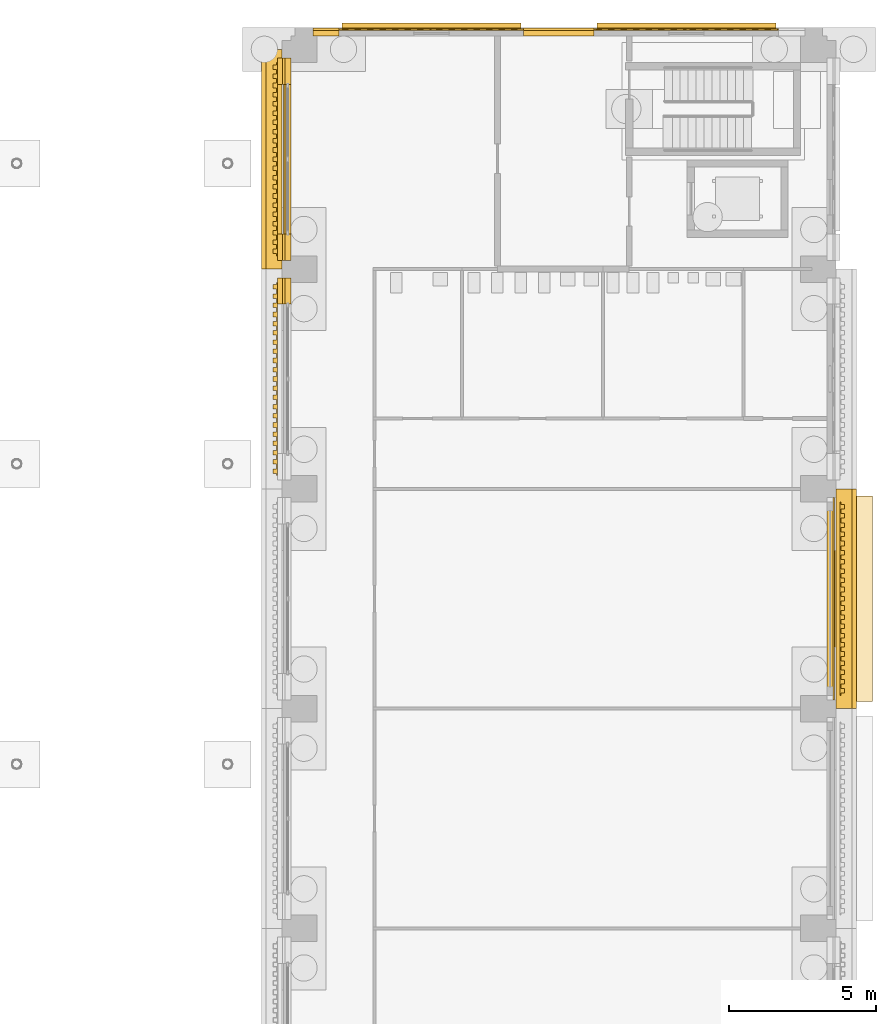
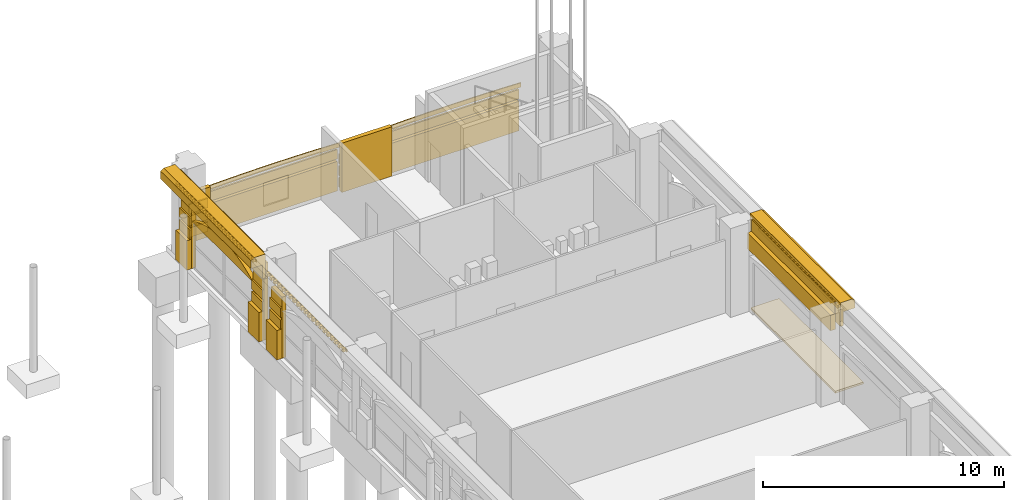
# One storey, part 89 of 99: 35 coverings.
"""IFC4 building model written with IfcOpenShell, lengths in metres."""

from ifc_helpers import new_model, si_unit, direction, frame, origin, place, context, subcontext, project, spatial, polyline, outline, extrude, material, layer, layer_set, type_object, element, save


model = new_model("IFC4")

# Units and contexts
model_context = context("Model", 3, precision=1e-05, world=origin(), true_north=direction((0.0, 1.0)))
body_context = subcontext(model_context, "Body", "Model", "MODEL_VIEW")
ifc_project = project(units=[si_unit("LENGTHUNIT", "METRE"), si_unit("AREAUNIT", "SQUARE_METRE"), si_unit("VOLUMEUNIT", "CUBIC_METRE"), si_unit("PLANEANGLEUNIT", "RADIAN"), si_unit("MASSUNIT", "GRAM", prefix="KILO")], contexts=[model_context])

# Site, building, storey
site_placement = place(None, origin())
site = spatial("IfcSite", under=ifc_project, at=site_placement, CompositionType="ELEMENT")
building_placement = place(site_placement, origin())
building = spatial("IfcBuilding", under=site, at=building_placement, Name="Cour d'Honneur Mobility Palace", CompositionType="ELEMENT")
storey_placement = place(building_placement, origin())
storey = spatial("IfcBuildingStorey", under=building, at=storey_placement, Name="L00", CompositionType="ELEMENT", Elevation=0.0)

# Coverings
ifc_material_1 = material(Name="Cast limestone", Category="masonry")
ifc_layer_1 = layer(ifc_material_1, 0.050048828125)
ifc_layer_set_1 = layer_set([ifc_layer_1], Name="Cast limestone")
covering_type_1 = type_object("IfcCoveringType", Name="Arch hood", PredefinedType="CLADDING", material=ifc_layer_set_1)
covering_1_placement = place(storey_placement, frame((161.10009765625, 115.60009765625, 2.179931640625), z_axis=(0.0, 1.0, 0.0), x_axis=(-0.999557518193, 0.0, 0.029745047039)))
element("IfcCovering", 1, at=covering_1_placement, inside=storey, type_object=covering_type_1, Name="Arch hood AH-42", PredefinedType="CLADDING", context=body_context, shape_type="SweptSolid", body=[
    extrude(outline(polyline([(0.0, 0.0), (0.3939731540780232, 0.0), (0.7879027363097985, -0.00146419558329091), (1.1817814847209511, -0.004636619347087881), (1.5756166612858558, -0.009273238694175762), (1.9691569714329225, -0.015610824247395037), (2.362897742330957, -0.023419867358279896), (2.7565949413827426, -0.032693106052455644), (3.1502413066139066, -0.04367457292713747), (3.5438440999988217, -0.056120235385110205), (3.9371520269658995, -0.07026686404921434), (4.330660414683945, -0.08588495027098403), (4.7241252305557415, -0.10296723207604466), (5.117539212606915, -0.1217577420616113), (5.510909622811842, -0.14201244763046889), (5.903985166598931, -0.16396811940545788), (6.297261171136987, -0.18739524873811242), (6.303804210048556, 0.03247812135273917), (5.9105282055105, 0.055905250685393676), (5.517452661723411, 0.07786092246038268), (5.124082251518485, 0.09811562802924029), (4.730668269467311, 0.1169061380148069), (4.337203453595514, 0.13398841981986756), (3.9436950658774683, 0.14960650604163725), (3.550387138910391, 0.16375313470574135), (3.1567843455254754, 0.1761987971637141), (2.763137980294312, 0.1871802640383959), (2.3694407812425258, 0.19645350273257167), (1.9757000103444915, 0.20426254584345654), (1.5821597001974248, 0.2106001313966758), (1.1883245236325202, 0.2152367507437637), (0.7944457752213675, 0.21840917450756064), (0.4005161929895923, 0.21987337009085156), (0.006543038911569049, 0.2198733700908516), (0.0, 0.0)])), origin(), (0.0, 0.0, -1.0), 0.050048828125),
])
covering_2_placement = place(storey_placement, frame((152.39990234375, 115.60009765625, 2.179931640625), z_axis=(0.0, 1.0, 0.0), x_axis=(-0.999556969403, 0.0, 0.02976348296)))
element("IfcCovering", 2, at=covering_2_placement, inside=storey, type_object=covering_type_1, Name="Arch hood AH-43", PredefinedType="CLADDING", context=body_context, shape_type="SweptSolid", body=[
    extrude(outline(polyline([(0.0, 0.0), (0.3937291215477782, 0.0), (0.7876586767067977, -0.0014714612547309172), (1.181537366538493, -0.004651149752093908), (1.5753724575181964, -0.009295033028855815), (1.9691566831705756, -0.015647143548249788), (2.3626532775077296, -0.023456182371710668), (2.756350305456125, -0.032736682449902466), (3.1499964680771964, -0.04372540977072635), (3.543599031846276, -0.05617833187094913), (3.9371507302880304, -0.070339481213804), (4.330414797414561, -0.08595755886072576), (4.723879298152331, -0.10304709776237844), (5.117292933562778, -0.1218448639066632), (5.510662970121234, -0.14210682483034687), (5.9039821413523645, -0.16407701299666264), (6.297013681268271, -0.18750412946704528), (6.303560775542407, 0.03236911990602526), (5.910529235626501, 0.055796236376407904), (5.51721006439537, 0.07776642454272367), (5.1238400278369145, 0.09802838546640735), (4.730426392426468, 0.1168261516106921), (4.336961891688697, 0.13391569051234475), (3.9436978245621668, 0.14953376815926656), (3.5501461261204117, 0.1636949175021214), (3.1565435623513323, 0.17614783960234415), (2.762897399730261, 0.18713656692316807), (2.369200371781866, 0.19641706700135989), (1.9757037774447117, 0.20422610582482073), (1.5819195517923326, 0.21057821634421472), (1.188084460812629, 0.21522209962097666), (0.7942057709809338, 0.21840178811833963), (0.40027621582191436, 0.21987324937307054), (0.006547094274136095, 0.21987324937307054), (0.0, 0.0)])), origin(), (0.0, 0.0, -1.0), 0.050048828125),
])
ifc_material_2 = material(Name="Cast limestone", Category="masonry")
ifc_layer_2 = layer(ifc_material_2, 0.199951171875)
ifc_layer_set_2 = layer_set([ifc_layer_2], Name="Cast limestone")
covering_type_2 = type_object("IfcCoveringType", Name="Arch tympanum panel", PredefinedType="CLADDING", material=ifc_layer_set_2)
covering_3_placement = place(storey_placement, frame((144.25, 113.699951171875, 2.39990234375), z_axis=(-1.0, 0.0, 0.0), x_axis=(0.0, -1.0, 0.0)))
element("IfcCovering", 3, at=covering_3_placement, inside=storey, type_object=covering_type_2, Name="Arch tympanum panel TP-1", PredefinedType="CLADDING", context=body_context, shape_type="SweptSolid", body=[
    extrude(outline(polyline([(0.0, 0.0), (5.099853515625, 0.0), (5.099853515625, 0.0), (4.78125, 0.160400390625), (4.46240234375, 0.294921875), (4.143798828125, 0.406005859375), (3.824951171875, 0.495361328125), (3.506103515625, 0.5634765625), (3.1875, 0.61181640625), (2.86865234375, 0.640625), (2.550048828125, 0.650146484375), (2.231201171875, 0.640625), (1.912353515625, 0.61181640625), (1.59375, 0.5634765625), (1.27490234375, 0.495361328125), (0.956298828125, 0.406005859375), (0.637451171875, 0.294921875), (0.318603515625, 0.160400390625), (0.0, 0.0), (0.0, 0.0)])), origin(), (0.0, 0.0, -1.0), 0.199951171875),
])
ifc_material_3 = material(Name="Cast limestone", Category="masonry")
ifc_layer_3 = layer(ifc_material_3, 0.14990234375)
ifc_layer_set_3 = layer_set([ifc_layer_3], Name="Cast limestone")
covering_type_3 = type_object("IfcCoveringType", Name="Dentil course", PredefinedType="CLADDING", material=ifc_layer_set_3)
covering_4_placement = place(storey_placement, frame((0.0, 0.0, 3.949951171875)))
element("IfcCovering", 4, at=covering_4_placement, inside=storey, type_object=covering_type_3, Name="Dentil course DC-29", PredefinedType="CLADDING", context=body_context, shape_type="SweptSolid", body=[
    extrude(outline(polyline([(163.199951171875, 92.85009765625), (163.199951171875, 99.449951171875), (163.22998046875, 99.449951171875), (163.22998046875, 99.449951171875), (163.22998046875, 99.371337890625), (163.35009765625, 99.371337890625), (163.35009765625, 99.21435546875), (163.22998046875, 99.21435546875), (163.22998046875, 99.1357421875), (163.22998046875, 99.1357421875), (163.22998046875, 99.05712890625), (163.35009765625, 99.05712890625), (163.35009765625, 98.89990234375), (163.22998046875, 98.89990234375), (163.22998046875, 98.821533203125), (163.22998046875, 98.821533203125), (163.22998046875, 98.742919921875), (163.35009765625, 98.742919921875), (163.35009765625, 98.585693359375), (163.22998046875, 98.585693359375), (163.22998046875, 98.507080078125), (163.22998046875, 98.507080078125), (163.22998046875, 98.428466796875), (163.35009765625, 98.428466796875), (163.35009765625, 98.271484375), (163.22998046875, 98.271484375), (163.22998046875, 98.19287109375), (163.22998046875, 98.19287109375), (163.22998046875, 98.1142578125), (163.35009765625, 98.1142578125), (163.35009765625, 97.95703125), (163.22998046875, 97.95703125), (163.22998046875, 97.878662109375), (163.22998046875, 97.878662109375), (163.22998046875, 97.800048828125), (163.35009765625, 97.800048828125), (163.35009765625, 97.642822265625), (163.22998046875, 97.642822265625), (163.22998046875, 97.564208984375), (163.22998046875, 97.564208984375), (163.22998046875, 97.485595703125), (163.35009765625, 97.485595703125), (163.35009765625, 97.32861328125), (163.22998046875, 97.32861328125), (163.22998046875, 97.25), (163.22998046875, 97.25), (163.22998046875, 97.17138671875), (163.35009765625, 97.17138671875), (163.35009765625, 97.014404296875), (163.22998046875, 97.014404296875), (163.22998046875, 96.935791015625), (163.22998046875, 96.935791015625), (163.22998046875, 96.857177734375), (163.35009765625, 96.857177734375), (163.35009765625, 96.699951171875), (163.22998046875, 96.699951171875), (163.22998046875, 96.621337890625), (163.22998046875, 96.621337890625), (163.22998046875, 96.54296875), (163.35009765625, 96.54296875), (163.35009765625, 96.3857421875), (163.22998046875, 96.3857421875), (163.22998046875, 96.30712890625), (163.22998046875, 96.30712890625), (163.22998046875, 96.228515625), (163.35009765625, 96.228515625), (163.35009765625, 96.071533203125), (163.22998046875, 96.071533203125), (163.22998046875, 95.992919921875), (163.22998046875, 95.992919921875), (163.22998046875, 95.914306640625), (163.35009765625, 95.914306640625), (163.35009765625, 95.757080078125), (163.22998046875, 95.757080078125), (163.22998046875, 95.678466796875), (163.22998046875, 95.678466796875), (163.22998046875, 95.60009765625), (163.35009765625, 95.60009765625), (163.35009765625, 95.44287109375), (163.22998046875, 95.44287109375), (163.22998046875, 95.3642578125), (163.22998046875, 95.3642578125), (163.22998046875, 95.28564453125), (163.35009765625, 95.28564453125), (163.35009765625, 95.128662109375), (163.22998046875, 95.128662109375), (163.22998046875, 95.050048828125), (163.22998046875, 95.050048828125), (163.22998046875, 94.971435546875), (163.35009765625, 94.971435546875), (163.35009765625, 94.814208984375), (163.22998046875, 94.814208984375), (163.22998046875, 94.735595703125), (163.22998046875, 94.735595703125), (163.22998046875, 94.6572265625), (163.35009765625, 94.6572265625), (163.35009765625, 94.5), (163.22998046875, 94.5), (163.22998046875, 94.42138671875), (163.22998046875, 94.42138671875), (163.22998046875, 94.3427734375), (163.35009765625, 94.3427734375), (163.35009765625, 94.185791015625), (163.22998046875, 94.185791015625), (163.22998046875, 94.107177734375), (163.22998046875, 94.107177734375), (163.22998046875, 94.028564453125), (163.35009765625, 94.028564453125), (163.35009765625, 93.871337890625), (163.22998046875, 93.871337890625), (163.22998046875, 93.79296875), (163.22998046875, 93.79296875), (163.22998046875, 93.71435546875), (163.35009765625, 93.71435546875), (163.35009765625, 93.55712890625), (163.22998046875, 93.55712890625), (163.22998046875, 93.478515625), (163.22998046875, 93.478515625), (163.22998046875, 93.39990234375), (163.35009765625, 93.39990234375), (163.35009765625, 93.242919921875), (163.22998046875, 93.242919921875), (163.22998046875, 93.164306640625), (163.22998046875, 93.164306640625), (163.22998046875, 93.085693359375), (163.35009765625, 93.085693359375), (163.35009765625, 92.928466796875), (163.22998046875, 92.928466796875), (163.22998046875, 92.85009765625), (163.199951171875, 92.85009765625)])), origin(), (0.0, 0.0, 1.0), 0.150146484375),
])
covering_5_placement = place(storey_placement, frame((0.0, 0.0, 3.949951171875)))
element("IfcCovering", 5, at=covering_5_placement, inside=storey, type_object=covering_type_3, Name="Dentil course DC-31", PredefinedType="CLADDING", context=body_context, shape_type="SweptSolid", body=[
    extrude(outline(polyline([(144.0, 114.449951171875), (144.0, 107.85009765625), (143.969970703125, 107.85009765625), (143.969970703125, 107.85009765625), (143.969970703125, 107.928466796875), (143.85009765625, 107.928466796875), (143.85009765625, 108.085693359375), (143.969970703125, 108.085693359375), (143.969970703125, 108.164306640625), (143.969970703125, 108.164306640625), (143.969970703125, 108.242919921875), (143.85009765625, 108.242919921875), (143.85009765625, 108.39990234375), (143.969970703125, 108.39990234375), (143.969970703125, 108.478515625), (143.969970703125, 108.478515625), (143.969970703125, 108.55712890625), (143.85009765625, 108.55712890625), (143.85009765625, 108.71435546875), (143.969970703125, 108.71435546875), (143.969970703125, 108.79296875), (143.969970703125, 108.79296875), (143.969970703125, 108.871337890625), (143.85009765625, 108.871337890625), (143.85009765625, 109.028564453125), (143.969970703125, 109.028564453125), (143.969970703125, 109.107177734375), (143.969970703125, 109.107177734375), (143.969970703125, 109.185791015625), (143.85009765625, 109.185791015625), (143.85009765625, 109.3427734375), (143.969970703125, 109.3427734375), (143.969970703125, 109.42138671875), (143.969970703125, 109.42138671875), (143.969970703125, 109.5), (143.85009765625, 109.5), (143.85009765625, 109.6572265625), (143.969970703125, 109.6572265625), (143.969970703125, 109.735595703125), (143.969970703125, 109.735595703125), (143.969970703125, 109.814208984375), (143.85009765625, 109.814208984375), (143.85009765625, 109.971435546875), (143.969970703125, 109.971435546875), (143.969970703125, 110.050048828125), (143.969970703125, 110.050048828125), (143.969970703125, 110.128662109375), (143.85009765625, 110.128662109375), (143.85009765625, 110.28564453125), (143.969970703125, 110.28564453125), (143.969970703125, 110.3642578125), (143.969970703125, 110.3642578125), (143.969970703125, 110.44287109375), (143.85009765625, 110.44287109375), (143.85009765625, 110.60009765625), (143.969970703125, 110.60009765625), (143.969970703125, 110.678466796875), (143.969970703125, 110.678466796875), (143.969970703125, 110.757080078125), (143.85009765625, 110.757080078125), (143.85009765625, 110.914306640625), (143.969970703125, 110.914306640625), (143.969970703125, 110.992919921875), (143.969970703125, 110.992919921875), (143.969970703125, 111.071533203125), (143.85009765625, 111.071533203125), (143.85009765625, 111.228515625), (143.969970703125, 111.228515625), (143.969970703125, 111.30712890625), (143.969970703125, 111.30712890625), (143.969970703125, 111.3857421875), (143.85009765625, 111.3857421875), (143.85009765625, 111.54296875), (143.969970703125, 111.54296875), (143.969970703125, 111.621337890625), (143.969970703125, 111.621337890625), (143.969970703125, 111.699951171875), (143.85009765625, 111.699951171875), (143.85009765625, 111.857177734375), (143.969970703125, 111.857177734375), (143.969970703125, 111.935791015625), (143.969970703125, 111.935791015625), (143.969970703125, 112.014404296875), (143.85009765625, 112.014404296875), (143.85009765625, 112.17138671875), (143.969970703125, 112.17138671875), (143.969970703125, 112.25), (143.969970703125, 112.25), (143.969970703125, 112.32861328125), (143.85009765625, 112.32861328125), (143.85009765625, 112.485595703125), (143.969970703125, 112.485595703125), (143.969970703125, 112.564208984375), (143.969970703125, 112.564208984375), (143.969970703125, 112.642822265625), (143.85009765625, 112.642822265625), (143.85009765625, 112.800048828125), (143.969970703125, 112.800048828125), (143.969970703125, 112.878662109375), (143.969970703125, 112.878662109375), (143.969970703125, 112.95703125), (143.85009765625, 112.95703125), (143.85009765625, 113.1142578125), (143.969970703125, 113.1142578125), (143.969970703125, 113.19287109375), (143.969970703125, 113.19287109375), (143.969970703125, 113.271484375), (143.85009765625, 113.271484375), (143.85009765625, 113.428466796875), (143.969970703125, 113.428466796875), (143.969970703125, 113.507080078125), (143.969970703125, 113.507080078125), (143.969970703125, 113.585693359375), (143.85009765625, 113.585693359375), (143.85009765625, 113.742919921875), (143.969970703125, 113.742919921875), (143.969970703125, 113.821533203125), (143.969970703125, 113.821533203125), (143.969970703125, 113.89990234375), (143.85009765625, 113.89990234375), (143.85009765625, 114.05712890625), (143.969970703125, 114.05712890625), (143.969970703125, 114.1357421875), (143.969970703125, 114.1357421875), (143.969970703125, 114.21435546875), (143.85009765625, 114.21435546875), (143.85009765625, 114.371337890625), (143.969970703125, 114.371337890625), (143.969970703125, 114.449951171875), (144.0, 114.449951171875)])), origin(), (0.0, 0.0, 1.0), 0.150146484375),
])
covering_6_placement = place(storey_placement, frame((0.0, 0.0, 3.949951171875)))
element("IfcCovering", 6, at=covering_6_placement, inside=storey, type_object=covering_type_3, Name="Dentil course DC-32", PredefinedType="CLADDING", context=body_context, shape_type="SweptSolid", body=[
    extrude(outline(polyline([(144.0, 106.949951171875), (144.0, 100.35009765625), (143.969970703125, 100.35009765625), (143.969970703125, 100.35009765625), (143.969970703125, 100.428466796875), (143.85009765625, 100.428466796875), (143.85009765625, 100.585693359375), (143.969970703125, 100.585693359375), (143.969970703125, 100.664306640625), (143.969970703125, 100.664306640625), (143.969970703125, 100.742919921875), (143.85009765625, 100.742919921875), (143.85009765625, 100.89990234375), (143.969970703125, 100.89990234375), (143.969970703125, 100.978515625), (143.969970703125, 100.978515625), (143.969970703125, 101.05712890625), (143.85009765625, 101.05712890625), (143.85009765625, 101.21435546875), (143.969970703125, 101.21435546875), (143.969970703125, 101.29296875), (143.969970703125, 101.29296875), (143.969970703125, 101.371337890625), (143.85009765625, 101.371337890625), (143.85009765625, 101.528564453125), (143.969970703125, 101.528564453125), (143.969970703125, 101.607177734375), (143.969970703125, 101.607177734375), (143.969970703125, 101.685791015625), (143.85009765625, 101.685791015625), (143.85009765625, 101.8427734375), (143.969970703125, 101.8427734375), (143.969970703125, 101.92138671875), (143.969970703125, 101.92138671875), (143.969970703125, 102.0), (143.85009765625, 102.0), (143.85009765625, 102.1572265625), (143.969970703125, 102.1572265625), (143.969970703125, 102.235595703125), (143.969970703125, 102.235595703125), (143.969970703125, 102.314208984375), (143.85009765625, 102.314208984375), (143.85009765625, 102.471435546875), (143.969970703125, 102.471435546875), (143.969970703125, 102.550048828125), (143.969970703125, 102.550048828125), (143.969970703125, 102.628662109375), (143.85009765625, 102.628662109375), (143.85009765625, 102.78564453125), (143.969970703125, 102.78564453125), (143.969970703125, 102.8642578125), (143.969970703125, 102.8642578125), (143.969970703125, 102.94287109375), (143.85009765625, 102.94287109375), (143.85009765625, 103.10009765625), (143.969970703125, 103.10009765625), (143.969970703125, 103.178466796875), (143.969970703125, 103.178466796875), (143.969970703125, 103.257080078125), (143.85009765625, 103.257080078125), (143.85009765625, 103.414306640625), (143.969970703125, 103.414306640625), (143.969970703125, 103.492919921875), (143.969970703125, 103.492919921875), (143.969970703125, 103.571533203125), (143.85009765625, 103.571533203125), (143.85009765625, 103.728515625), (143.969970703125, 103.728515625), (143.969970703125, 103.80712890625), (143.969970703125, 103.80712890625), (143.969970703125, 103.8857421875), (143.85009765625, 103.8857421875), (143.85009765625, 104.04296875), (143.969970703125, 104.04296875), (143.969970703125, 104.121337890625), (143.969970703125, 104.121337890625), (143.969970703125, 104.199951171875), (143.85009765625, 104.199951171875), (143.85009765625, 104.357177734375), (143.969970703125, 104.357177734375), (143.969970703125, 104.435791015625), (143.969970703125, 104.435791015625), (143.969970703125, 104.514404296875), (143.85009765625, 104.514404296875), (143.85009765625, 104.67138671875), (143.969970703125, 104.67138671875), (143.969970703125, 104.75), (143.969970703125, 104.75), (143.969970703125, 104.82861328125), (143.85009765625, 104.82861328125), (143.85009765625, 104.985595703125), (143.969970703125, 104.985595703125), (143.969970703125, 105.064208984375), (143.969970703125, 105.064208984375), (143.969970703125, 105.142822265625), (143.85009765625, 105.142822265625), (143.85009765625, 105.300048828125), (143.969970703125, 105.300048828125), (143.969970703125, 105.378662109375), (143.969970703125, 105.378662109375), (143.969970703125, 105.45703125), (143.85009765625, 105.45703125), (143.85009765625, 105.6142578125), (143.969970703125, 105.6142578125), (143.969970703125, 105.69287109375), (143.969970703125, 105.69287109375), (143.969970703125, 105.771484375), (143.85009765625, 105.771484375), (143.85009765625, 105.928466796875), (143.969970703125, 105.928466796875), (143.969970703125, 106.007080078125), (143.969970703125, 106.007080078125), (143.969970703125, 106.085693359375), (143.85009765625, 106.085693359375), (143.85009765625, 106.242919921875), (143.969970703125, 106.242919921875), (143.969970703125, 106.321533203125), (143.969970703125, 106.321533203125), (143.969970703125, 106.39990234375), (143.85009765625, 106.39990234375), (143.85009765625, 106.55712890625), (143.969970703125, 106.55712890625), (143.969970703125, 106.6357421875), (143.969970703125, 106.6357421875), (143.969970703125, 106.71435546875), (143.85009765625, 106.71435546875), (143.85009765625, 106.871337890625), (143.969970703125, 106.871337890625), (143.969970703125, 106.949951171875), (144.0, 106.949951171875)])), origin(), (0.0, 0.0, 1.0), 0.150146484375),
])
ifc_material_4 = material(Name="Cast limestone", Category="masonry")
ifc_layer_4 = layer(ifc_material_4, 0.699951171875)
ifc_layer_set_4 = layer_set([ifc_layer_4], Name="Cast limestone")
covering_type_4 = type_object("IfcCoveringType", Name="Entablature", PredefinedType="CLADDING", material=ifc_layer_set_4)
covering_7_placement = place(storey_placement, frame((163.050048828125, 92.39990234375, 3.39990234375), z_axis=(0.0, -1.0, 0.0), x_axis=(1.0, 0.0, 0.0)))
element("IfcCovering", 7, at=covering_7_placement, inside=storey, type_object=covering_type_4, Name="Entablature EN-29", PredefinedType="CLADDING", context=body_context, shape_type="SweptSolid", body=[
    extrude(outline(polyline([(0.0, 0.0), (0.14990234375, 0.0), (0.14990234375, 0.7001953125), (0.699951171875, 0.7001953125), (0.699951171875, 1.10009765625), (0.550048828125, 1.2001953125), (0.0, 1.2001953125), (0.0, 0.0)])), origin(), (0.0, 0.0, -1.0), 7.5),
])
covering_8_placement = place(storey_placement, frame((144.14990234375, 114.89990234375, 3.39990234375), z_axis=(0.0, 1.0, 0.0), x_axis=(-1.0, 0.0, 0.0)))
element("IfcCovering", 8, at=covering_8_placement, inside=storey, type_object=covering_type_4, Name="Entablature EN-31", PredefinedType="CLADDING", context=body_context, shape_type="SweptSolid", body=[
    extrude(outline(polyline([(0.0, 0.0), (0.14990234375, 0.0), (0.14990234375, 0.7001953125), (0.699951171875, 0.7001953125), (0.699951171875, 1.10009765625), (0.5498046875, 1.2001953125), (0.0, 1.2001953125), (0.0, 0.0)])), origin(), (0.0, 0.0, -1.0), 7.5),
])
ifc_material_5 = material(Name="Granite paving", Category="masonry")
ifc_layer_5 = layer(ifc_material_5, 0.10009765625)
ifc_layer_set_5 = layer_set([ifc_layer_5], Name="Granite paving")
covering_type_5 = type_object("IfcCoveringType", Name="Entrance paving", PredefinedType="FLOORING", material=ifc_layer_set_5)
covering_9_placement = place(storey_placement, frame((0.0, 0.0, -0.10009765625)))
element("IfcCovering", 9, at=covering_9_placement, inside=storey, type_object=covering_type_5, Name="Entrance paving PV-12", PredefinedType="FLOORING", context=body_context, shape_type="SweptSolid", body=[
    extrude(outline(polyline([(162.949951171875, 92.64990234375), (162.949951171875, 99.64990234375), (164.300048828125, 99.64990234375), (164.300048828125, 92.64990234375), (162.949951171875, 92.64990234375)])), origin(), (0.0, 0.0, 1.0), 0.10009765625),
])
ifc_material_6 = material(Name="Cast limestone", Category="masonry")
ifc_layer_6 = layer(ifc_material_6, 0.25)
ifc_layer_set_6 = layer_set([ifc_layer_6], Name="Cast limestone")
covering_type_6 = type_object("IfcCoveringType", Name="Plinth course", PredefinedType="CLADDING", material=ifc_layer_set_6)
covering_10_placement = place(storey_placement, origin())
element("IfcCovering", 10, at=covering_10_placement, inside=storey, type_object=covering_type_6, Name="Plinth course PI-124", PredefinedType="CLADDING", context=body_context, shape_type="SweptSolid", body=[
    extrude(outline(polyline([(161.0, 115.550048828125), (154.89990234375, 115.550048828125), (154.89990234375, 115.800048828125), (161.0, 115.800048828125), (161.0, 115.550048828125)])), origin(), (0.0, 0.0, 1.0), 1.5),
])
covering_11_placement = place(storey_placement, origin())
element("IfcCovering", 11, at=covering_11_placement, inside=storey, type_object=covering_type_6, Name="Plinth course PI-125", PredefinedType="CLADDING", context=body_context, shape_type="SweptSolid", body=[
    extrude(outline(polyline([(152.300048828125, 115.550048828125), (146.199951171875, 115.550048828125), (146.199951171875, 115.800048828125), (152.300048828125, 115.800048828125), (152.300048828125, 115.550048828125)])), origin(), (0.0, 0.0, 1.0), 1.5),
])
covering_12_placement = place(storey_placement, origin())
element("IfcCovering", 12, at=covering_12_placement, inside=storey, type_object=covering_type_6, Name="Plinth course PI-126", PredefinedType="CLADDING", context=body_context, shape_type="SweptSolid", body=[
    extrude(outline(polyline([(144.25, 114.60009765625), (144.25, 113.699951171875), (144.0, 113.699951171875), (144.0, 114.60009765625), (144.25, 114.60009765625)])), origin(), (0.0, 0.0, 1.0), 1.5),
])
covering_13_placement = place(storey_placement, origin())
element("IfcCovering", 13, at=covering_13_placement, inside=storey, type_object=covering_type_6, Name="Plinth course PI-127", PredefinedType="CLADDING", context=body_context, shape_type="SweptSolid", body=[
    extrude(outline(polyline([(144.25, 108.60009765625), (144.25, 107.699951171875), (144.0, 107.699951171875), (144.0, 108.60009765625), (144.25, 108.60009765625)])), origin(), (0.0, 0.0, 1.0), 1.5),
])
covering_14_placement = place(storey_placement, origin())
element("IfcCovering", 14, at=covering_14_placement, inside=storey, type_object=covering_type_6, Name="Plinth course PI-128", PredefinedType="CLADDING", context=body_context, shape_type="SweptSolid", body=[
    extrude(outline(polyline([(144.25, 107.10009765625), (144.25, 106.199951171875), (144.0, 106.199951171875), (144.0, 107.10009765625), (144.25, 107.10009765625)])), origin(), (0.0, 0.0, 1.0), 1.5),
])
ifc_material_7 = material(Name="Cast limestone", Category="masonry")
ifc_layer_7 = layer(ifc_material_7, 0.199951171875)
ifc_layer_set_7 = layer_set([ifc_layer_7], Name="Cast limestone")
covering_type_7 = type_object("IfcCoveringType", Name="Rusticated jamb panel", PredefinedType="CLADDING", material=ifc_layer_set_7)
covering_15_placement = place(storey_placement, frame((154.800048828125, 115.550048828125, 0.0), z_axis=(0.0, 1.0, 0.0), x_axis=(-1.0, 0.0, 0.0)))
element("IfcCovering", 15, at=covering_15_placement, inside=storey, type_object=covering_type_7, Name="Rusticated jamb panel RP-97", PredefinedType="CLADDING", context=body_context, shape_type="SweptSolid", body=[
    extrude(outline(polyline([(0.0, 0.0), (2.400146484375, 0.0), (2.400146484375, 2.5), (0.0, 2.5), (0.0, 0.0)])), origin(), (0.0, 0.0, -1.0), 0.199951171875),
])
covering_16_placement = place(storey_placement, frame((146.10009765625, 115.550048828125, 0.0), z_axis=(0.0, 1.0, 0.0), x_axis=(-1.0, 0.0, 0.0)))
element("IfcCovering", 16, at=covering_16_placement, inside=storey, type_object=covering_type_7, Name="Rusticated jamb panel RP-98", PredefinedType="CLADDING", context=body_context, shape_type="SweptSolid", body=[
    extrude(outline(polyline([(0.0, 0.0), (0.900146484375, 0.0), (0.900146484375, 2.5), (0.0, 2.5), (0.0, 0.0)])), origin(), (0.0, 0.0, -1.0), 0.199951171875),
])
for number, where, z_axis, x_axis, name in (
    (17, (144.25, 114.60009765625, 0.0), (-1.0, 0.0, 0.0), (0.0, -1.0, 0.0), "Rusticated jamb panel RP-99"),
    (18, (144.25, 108.60009765625, 0.0), (-1.0, 0.0, 0.0), (0.0, -1.0, 0.0), "Rusticated jamb panel RP-100"),
    (19, (144.25, 107.10009765625, 0.0), (-1.0, 0.0, 0.0), (0.0, -1.0, 0.0), "Rusticated jamb panel RP-101"),
):
    element("IfcCovering", number, at=place(storey_placement, frame(where, z_axis=z_axis, x_axis=x_axis)), inside=storey, type_object=covering_type_7, Name=name, PredefinedType="CLADDING", context=body_context, shape_type="SweptSolid", body=[
        extrude(outline(polyline([(0.0, 0.0), (0.900146484375, 0.0), (0.900146484375, 3.10009765625), (0.0, 3.10009765625), (0.0, 0.0)])), origin(), (0.0, 0.0, -1.0), 0.199951171875),
    ])
ifc_material_8 = material(Name="Cast limestone", Category="masonry")
ifc_layer_8 = layer(ifc_material_8, 0.080078125)
ifc_layer_set_8 = layer_set([ifc_layer_8], Name="Cast limestone")
covering_type_8 = type_object("IfcCoveringType", Name="Rustication course", PredefinedType="CLADDING", material=ifc_layer_set_8)
for number, where, name in (
    (20, (0.0, 0.0, 0.1201171875), "Rustication course RC-209"),
    (21, (0.0, 0.0, 0.719970703125), "Rustication course RC-210"),
    (22, (0.0, 0.0, 1.320068359375), "Rustication course RC-211"),
):
    element("IfcCovering", number, at=place(storey_placement, frame(where)), inside=storey, type_object=covering_type_8, Name=name, PredefinedType="CLADDING", context=body_context, shape_type="SweptSolid", body=[
        extrude(outline(polyline([(154.800048828125, 115.550048828125), (152.39990234375, 115.550048828125), (152.39990234375, 115.6298828125), (154.800048828125, 115.6298828125), (154.800048828125, 115.550048828125)])), origin(), (0.0, 0.0, 1.0), 0.47998046875),
    ])
for number, where, name in (
    (23, (0.0, 0.0, 0.1201171875), "Rustication course RC-212"),
    (24, (0.0, 0.0, 0.719970703125), "Rustication course RC-213"),
    (25, (0.0, 0.0, 1.320068359375), "Rustication course RC-214"),
):
    element("IfcCovering", number, at=place(storey_placement, frame(where)), inside=storey, type_object=covering_type_8, Name=name, PredefinedType="CLADDING", context=body_context, shape_type="SweptSolid", body=[
        extrude(outline(polyline([(146.10009765625, 115.550048828125), (145.199951171875, 115.550048828125), (145.199951171875, 115.6298828125), (146.10009765625, 115.6298828125), (146.10009765625, 115.550048828125)])), origin(), (0.0, 0.0, 1.0), 0.47998046875),
    ])
covering_17_placement = place(storey_placement, frame((0.0, 0.0, 1.6201171875)))
element("IfcCovering", 26, at=covering_17_placement, inside=storey, type_object=covering_type_8, Name="Rustication course RC-215", PredefinedType="CLADDING", context=body_context, shape_type="SweptSolid", body=[
    extrude(outline(polyline([(161.0, 115.550048828125), (154.89990234375, 115.550048828125), (154.89990234375, 115.6298828125), (161.0, 115.6298828125), (161.0, 115.550048828125)])), origin(), (0.0, 0.0, 1.0), 0.47998046875),
])
covering_18_placement = place(storey_placement, frame((0.0, 0.0, 1.6201171875)))
element("IfcCovering", 27, at=covering_18_placement, inside=storey, type_object=covering_type_8, Name="Rustication course RC-216", PredefinedType="CLADDING", context=body_context, shape_type="SweptSolid", body=[
    extrude(outline(polyline([(152.300048828125, 115.550048828125), (146.199951171875, 115.550048828125), (146.199951171875, 115.6298828125), (152.300048828125, 115.6298828125), (152.300048828125, 115.550048828125)])), origin(), (0.0, 0.0, 1.0), 0.47998046875),
])
for number, where, name in (
    (28, (0.0, 0.0, 1.5), "Rustication course RC-217"),
    (29, (0.0, 0.0, 2.10009765625), "Rustication course RC-218"),
):
    element("IfcCovering", number, at=place(storey_placement, frame(where)), inside=storey, type_object=covering_type_8, Name=name, PredefinedType="CLADDING", context=body_context, shape_type="SweptSolid", body=[
        extrude(outline(polyline([(144.25, 114.60009765625), (144.25, 113.699951171875), (144.169921875, 113.699951171875), (144.169921875, 114.60009765625), (144.25, 114.60009765625)])), origin(), (0.0, 0.0, 1.0), 0.47998046875),
    ])
for number, where, name in (
    (30, (0.0, 0.0, 1.5), "Rustication course RC-219"),
    (31, (0.0, 0.0, 2.10009765625), "Rustication course RC-220"),
):
    element("IfcCovering", number, at=place(storey_placement, frame(where)), inside=storey, type_object=covering_type_8, Name=name, PredefinedType="CLADDING", context=body_context, shape_type="SweptSolid", body=[
        extrude(outline(polyline([(144.25, 108.60009765625), (144.25, 107.699951171875), (144.169921875, 107.699951171875), (144.169921875, 108.60009765625), (144.25, 108.60009765625)])), origin(), (0.0, 0.0, 1.0), 0.47998046875),
    ])
for number, where, name in (
    (32, (0.0, 0.0, 1.5), "Rustication course RC-221"),
    (33, (0.0, 0.0, 2.10009765625), "Rustication course RC-222"),
):
    element("IfcCovering", number, at=place(storey_placement, frame(where)), inside=storey, type_object=covering_type_8, Name=name, PredefinedType="CLADDING", context=body_context, shape_type="SweptSolid", body=[
        extrude(outline(polyline([(144.25, 107.10009765625), (144.25, 106.199951171875), (144.169921875, 106.199951171875), (144.169921875, 107.10009765625), (144.25, 107.10009765625)])), origin(), (0.0, 0.0, 1.0), 0.47998046875),
    ])
ifc_material_9 = material(Name="Cast limestone", Category="masonry")
ifc_layer_9 = layer(ifc_material_9, 0.25)
ifc_layer_set_9 = layer_set([ifc_layer_9], Name="Cast limestone")
covering_type_9 = type_object("IfcCoveringType", Name="Spandrel cladding", PredefinedType="CLADDING", material=ifc_layer_set_9)
for number, where, z_axis, x_axis, name in (
    (34, (162.75, 92.699951171875, 3.10009765625), (0.0, -1.0, 0.0), (1.0, 0.0, 0.0), "Spandrel cladding SK-29"),
    (35, (144.449951171875, 114.60009765625, 3.10009765625), (0.0, 1.0, 0.0), (-1.0, 0.0, 0.0), "Spandrel cladding SK-31"),
):
    element("IfcCovering", number, at=place(storey_placement, frame(where, z_axis=z_axis, x_axis=x_axis)), inside=storey, type_object=covering_type_9, Name=name, PredefinedType="CLADDING", context=body_context, shape_type="SweptSolid", body=[
        extrude(outline(polyline([(0.0, 0.0), (0.25, 0.0), (0.25, 1.39990234375), (0.199951171875, 1.39990234375), (0.199951171875, 0.7998046875), (0.0, 0.7998046875), (0.0, 0.0)])), origin(), (0.0, 0.0, -1.0), 6.89990234375),
    ])

save(model, "model.ifc")
